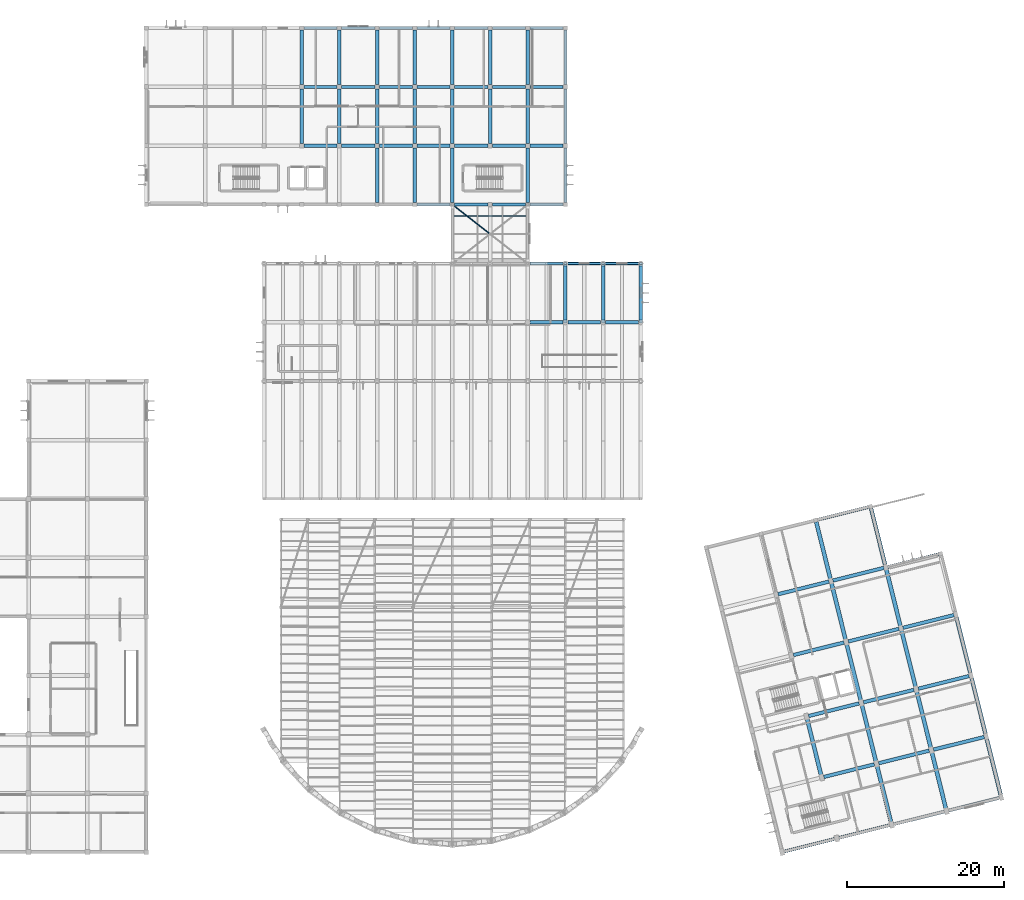
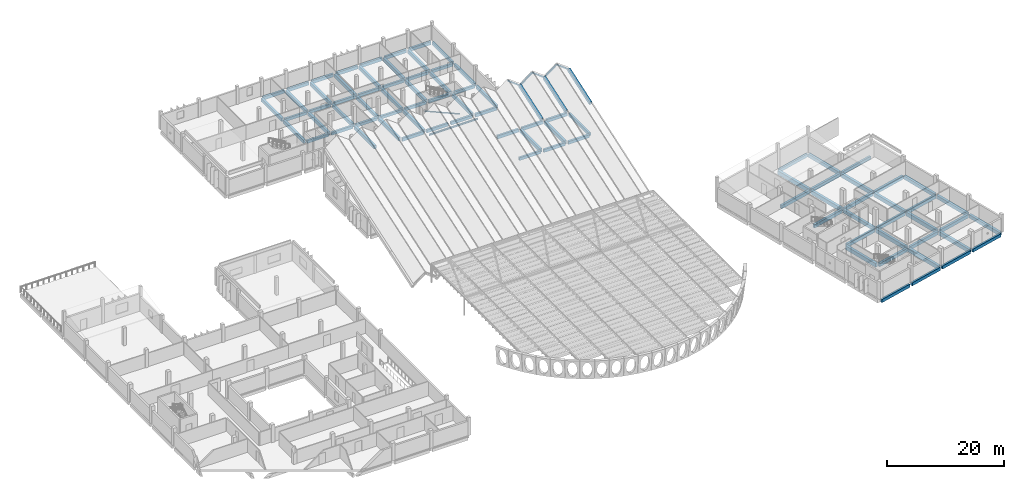
# One storey, part 18 of 47: 90 beams, 6 members.
"""IFC4 building model written with IfcOpenShell, lengths in metres."""

from ifc_helpers import new_model, si_unit, direction, frame, origin, origin_2d, place, context, subcontext, project, spatial, rectangle, hollow_rectangle, hollow_circle, i_section, extrude, material, material_profile, profile_set, type_object, element, save


model = new_model("IFC4")

# Units and contexts
model_context = context("Model", 3, precision=1e-05, world=origin(), true_north=direction((0.0, 1.0)))
body_context = subcontext(model_context, "Body", "Model", "MODEL_VIEW")
ifc_project = project(units=[si_unit("LENGTHUNIT", "METRE"), si_unit("AREAUNIT", "SQUARE_METRE"), si_unit("VOLUMEUNIT", "CUBIC_METRE"), si_unit("PLANEANGLEUNIT", "RADIAN"), si_unit("MASSUNIT", "GRAM", prefix="KILO")], contexts=[model_context])

# Site, building, storey
site_placement = place(None, origin())
site = spatial("IfcSite", under=ifc_project, at=site_placement, CompositionType="ELEMENT")
building_placement = place(site_placement, origin())
building = spatial("IfcBuilding", under=site, at=building_placement, Name="Mawjan Specialist Oncology Clinic", CompositionType="ELEMENT")
storey_placement = place(building_placement, frame((0.0, 0.0, 9.5)))
storey = spatial("IfcBuildingStorey", under=building, at=storey_placement, Name="L02", CompositionType="ELEMENT", Elevation=9.5)

# Beams
ifc_material_1 = material(Name="Concrete C40/50", Category="concrete")
ifc_material_profile_1 = material_profile(ifc_material_1, rectangle(XDim=0.39990234375, YDim=0.60009765625, at=origin_2d()), Name="RC BM 400x600", Category="concrete")
ifc_profile_set_1 = profile_set([ifc_material_profile_1], Name="Concrete C40/50")
beam_type_1 = type_object("IfcBeamType", Name="BM-400x600", PredefinedType="BEAM", material=ifc_profile_set_1)
beam_1_placement = place(storey_placement, frame((93.909912109375, 68.300048828125, -0.60009765625), z_axis=(1.0, 0.0, 0.0), x_axis=(0.0, 1.0, 0.0)))
element("IfcBeam", 1, at=beam_1_placement, inside=storey, type_object=beam_type_1, Name="L02 Collector Beam BM-L02-0694", PredefinedType="BEAM", context=body_context, shape_type="SweptSolid", body=[
    extrude(rectangle(XDim=0.39990234375, YDim=0.60009765625, at=origin_2d()), origin(), (0.0, 0.0, 1.0), 4.18017578125),
])
for number, where, z_axis, x_axis, name in (
    (2, (98.7099609375, 68.300048828125, -0.60009765625), (1.0, 0.0, 0.0), (0.0, 1.0, 0.0), "L02 Collector Beam BM-L02-0695"),
    (3, (103.510009765625, 68.300048828125, -0.60009765625), (1.0, 0.0, 0.0), (0.0, 1.0, 0.0), "L02 Collector Beam BM-L02-0696"),
):
    element("IfcBeam", number, at=place(storey_placement, frame(where, z_axis=z_axis, x_axis=x_axis)), inside=storey, type_object=beam_type_1, Name=name, PredefinedType="BEAM", context=body_context, shape_type="SweptSolid", body=[
        extrude(rectangle(XDim=0.39990234375, YDim=0.60009765625, at=origin_2d()), origin(), (0.0, 0.0, 1.0), 4.179931640625),
    ])
for number, where, z_axis, x_axis, name in (
    (4, (84.284912109375, 83.300048828125, -0.60009765625), (1.0, 0.0, 0.0), (0.0, 1.0, 0.0), "L02 Collector Beam BM-L02-0716"),
    (5, (89.0849609375, 83.300048828125, -0.60009765625), (1.0, 0.0, 0.0), (0.0, 1.0, 0.0), "L02 Collector Beam BM-L02-0717"),
    (6, (65.0849609375, 90.800048828125, -0.60009765625), (1.0, 0.0, 0.0), (0.0, 1.0, 0.0), "L02 Collector Beam BM-L02-0722"),
    (7, (69.885009765625, 90.800048828125, -0.60009765625), (1.0, 0.0, 0.0), (0.0, 1.0, 0.0), "L02 Collector Beam BM-L02-0723"),
    (8, (74.68505859375, 90.800048828125, -0.60009765625), (1.0, 0.0, 0.0), (0.0, 1.0, 0.0), "L02 Collector Beam BM-L02-0724"),
    (9, (79.485107421875, 90.800048828125, -0.60009765625), (1.0, 0.0, 0.0), (0.0, 1.0, 0.0), "L02 Collector Beam BM-L02-0725"),
    (10, (84.284912109375, 90.800048828125, -0.60009765625), (1.0, 0.0, 0.0), (0.0, 1.0, 0.0), "L02 Collector Beam BM-L02-0726"),
    (11, (89.0849609375, 90.800048828125, -0.60009765625), (1.0, 0.0, 0.0), (0.0, 1.0, 0.0), "L02 Collector Beam BM-L02-0727"),
    (12, (93.885009765625, 90.800048828125, -0.60009765625), (1.0, 0.0, 0.0), (0.0, 1.0, 0.0), "L02 Collector Beam BM-L02-0728"),
    (13, (65.0849609375, 98.300048828125, -0.60009765625), (1.0, 0.0, 0.0), (0.0, 1.0, 0.0), "L02 Collector Beam BM-L02-0732"),
    (14, (69.885009765625, 98.300048828125, -0.60009765625), (1.0, 0.0, 0.0), (0.0, 1.0, 0.0), "L02 Collector Beam BM-L02-0733"),
    (15, (74.68505859375, 98.300048828125, -0.60009765625), (1.0, 0.0, 0.0), (0.0, 1.0, 0.0), "L02 Collector Beam BM-L02-0734"),
    (16, (79.485107421875, 98.300048828125, -0.60009765625), (1.0, 0.0, 0.0), (0.0, 1.0, 0.0), "L02 Collector Beam BM-L02-0735"),
    (17, (84.284912109375, 98.300048828125, -0.60009765625), (1.0, 0.0, 0.0), (0.0, 1.0, 0.0), "L02 Collector Beam BM-L02-0736"),
    (18, (89.0849609375, 98.300048828125, -0.60009765625), (1.0, 0.0, 0.0), (0.0, 1.0, 0.0), "L02 Collector Beam BM-L02-0737"),
    (19, (93.885009765625, 98.300048828125, -0.60009765625), (1.0, 0.0, 0.0), (0.0, 1.0, 0.0), "L02 Collector Beam BM-L02-0738"),
):
    element("IfcBeam", number, at=place(storey_placement, frame(where, z_axis=z_axis, x_axis=x_axis)), inside=storey, type_object=beam_type_1, Name=name, PredefinedType="BEAM", context=body_context, shape_type="SweptSolid", body=[
        extrude(rectangle(XDim=0.39990234375, YDim=0.60009765625, at=origin_2d()), origin(), (0.0, 0.0, 1.0), 4.22998046875),
    ])
ifc_material_2 = material(Name="Concrete C40/50", Category="concrete")
ifc_material_profile_2 = material_profile(ifc_material_2, rectangle(XDim=0.449951171875, YDim=0.699951171875, at=origin_2d()), Name="RC BM 450x700", Category="concrete")
ifc_profile_set_2 = profile_set([ifc_material_profile_2], Name="Concrete C40/50")
beam_type_2 = type_object("IfcBeamType", Name="BM-450x700", PredefinedType="BEAM", material=ifc_profile_set_2)
for number, where, z_axis, x_axis, name in (
    (20, (64.800048828125, 91.0849609375, -0.64990234375), (0.0, 1.0, 0.0), (-1.0, 0.0, 0.0), "L02 Collector Beam BM-L02-0813"),
    (21, (64.800048828125, 98.5849609375, -0.64990234375), (0.0, 1.0, 0.0), (-1.0, 0.0, 0.0), "L02 Collector Beam BM-L02-0814"),
    (22, (69.60009765625, 91.0849609375, -0.64990234375), (0.0, 1.0, 0.0), (-1.0, 0.0, 0.0), "L02 Collector Beam BM-L02-0817"),
    (23, (69.60009765625, 98.5849609375, -0.64990234375), (0.0, 1.0, 0.0), (-1.0, 0.0, 0.0), "L02 Collector Beam BM-L02-0818"),
    (24, (74.39990234375, 83.5849609375, -0.64990234375), (0.0, 1.0, 0.0), (-1.0, 0.0, 0.0), "L02 Collector Beam BM-L02-0820"),
    (25, (74.39990234375, 91.0849609375, -0.64990234375), (0.0, 1.0, 0.0), (-1.0, 0.0, 0.0), "L02 Collector Beam BM-L02-0821"),
    (26, (74.39990234375, 98.5849609375, -0.64990234375), (0.0, 1.0, 0.0), (-1.0, 0.0, 0.0), "L02 Collector Beam BM-L02-0822"),
    (27, (79.199951171875, 83.5849609375, -0.64990234375), (0.0, 1.0, 0.0), (-1.0, 0.0, 0.0), "L02 Collector Beam BM-L02-0824"),
    (28, (79.199951171875, 91.0849609375, -0.64990234375), (0.0, 1.0, 0.0), (-1.0, 0.0, 0.0), "L02 Collector Beam BM-L02-0825"),
    (29, (79.199951171875, 98.5849609375, -0.64990234375), (0.0, 1.0, 0.0), (-1.0, 0.0, 0.0), "L02 Collector Beam BM-L02-0826"),
    (30, (84.0, 83.5849609375, -0.64990234375), (0.0, 1.0, 0.0), (-1.0, 0.0, 0.0), "L02 Collector Beam BM-L02-0829"),
    (31, (84.0, 91.0849609375, -0.64990234375), (0.0, 1.0, 0.0), (-1.0, 0.0, 0.0), "L02 Collector Beam BM-L02-0830"),
    (32, (84.0, 98.5849609375, -0.64990234375), (0.0, 1.0, 0.0), (-1.0, 0.0, 0.0), "L02 Collector Beam BM-L02-0831"),
    (33, (88.800048828125, 91.0849609375, -0.64990234375), (0.0, 1.0, 0.0), (-1.0, 0.0, 0.0), "L02 Collector Beam BM-L02-0835"),
    (34, (88.800048828125, 98.5849609375, -0.64990234375), (0.0, 1.0, 0.0), (-1.0, 0.0, 0.0), "L02 Collector Beam BM-L02-0836"),
    (35, (93.60009765625, 91.0849609375, -0.64990234375), (0.0, 1.0, 0.0), (-1.0, 0.0, 0.0), "L02 Collector Beam BM-L02-0841"),
    (36, (93.60009765625, 98.5849609375, -0.64990234375), (0.0, 1.0, 0.0), (-1.0, 0.0, 0.0), "L02 Collector Beam BM-L02-0842"),
):
    element("IfcBeam", number, at=place(storey_placement, frame(where, z_axis=z_axis, x_axis=x_axis)), inside=storey, type_object=beam_type_2, Name=name, PredefinedType="BEAM", context=body_context, shape_type="SweptSolid", body=[
        extrude(rectangle(XDim=0.449951171875, YDim=0.699951171875, at=origin_2d()), origin(), (0.0, 0.0, 1.0), 6.929931640625),
    ])
for number, where, z_axis, x_axis, name in (
    (37, (98.39990234375, 68.610107421875, -0.64990234375), (0.0, 1.0, 0.0), (-1.0, 0.0, 0.0), "L02 Collector Beam BM-L02-0843"),
    (38, (103.199951171875, 68.610107421875, -0.64990234375), (0.0, 1.0, 0.0), (-1.0, 0.0, 0.0), "L02 Collector Beam BM-L02-0847"),
):
    element("IfcBeam", number, at=place(storey_placement, frame(where, z_axis=z_axis, x_axis=x_axis)), inside=storey, type_object=beam_type_2, Name=name, PredefinedType="BEAM", context=body_context, shape_type="SweptSolid", body=[
        extrude(rectangle(XDim=0.449951171875, YDim=0.699951171875, at=origin_2d()), origin(), (0.0, 0.0, 1.0), 6.8798828125),
    ])
beam_2_placement = place(storey_placement, frame((131.327392578125, 10.373046875, -0.64990234375), z_axis=(0.970291780541, 0.241937720527, 0.0), x_axis=(-0.241937720527, 0.970291780541, 0.0)))
element("IfcBeam", 39, at=beam_2_placement, inside=storey, type_object=beam_type_2, Name="L02 Collector Beam BM-L02-0855", PredefinedType="BEAM", context=body_context, shape_type="SweptSolid", body=[
    extrude(rectangle(XDim=0.449951171875, YDim=0.699951171875, at=origin_2d()), origin(), (0.0, 0.0, 1.0), 6.6298828125),
])
beam_3_placement = place(storey_placement, frame((138.3134765625, 12.114990234375, -0.64990234375), z_axis=(0.970293935913, 0.241929076241, 0.0), x_axis=(-0.241929076241, 0.970293935913, 0.0)))
element("IfcBeam", 40, at=beam_3_placement, inside=storey, type_object=beam_type_2, Name="L02 Collector Beam BM-L02-0856", PredefinedType="BEAM", context=body_context, shape_type="SweptSolid", body=[
    extrude(rectangle(XDim=0.449951171875, YDim=0.699951171875, at=origin_2d()), origin(), (0.0, 0.0, 1.0), 6.630126953125),
])
beam_4_placement = place(storey_placement, frame((145.299560546875, 13.85693359375, -0.64990234375), z_axis=(0.970299828174, 0.241905443192, 0.0), x_axis=(-0.241905443192, 0.970299828174, 0.0)))
element("IfcBeam", 41, at=beam_4_placement, inside=storey, type_object=beam_type_2, Name="L02 Collector Beam BM-L02-0857", PredefinedType="BEAM", context=body_context, shape_type="SweptSolid", body=[
    extrude(rectangle(XDim=0.449951171875, YDim=0.699951171875, at=origin_2d()), origin(), (0.0, 0.0, 1.0), 6.655029296875),
])
beam_5_placement = place(storey_placement, frame((129.391845703125, 18.135498046875, -0.64990234375), z_axis=(0.970293935913, 0.241929076241, 0.0), x_axis=(-0.241929076241, 0.970293935913, 0.0)))
element("IfcBeam", 42, at=beam_5_placement, inside=storey, type_object=beam_type_2, Name="L02 Collector Beam BM-L02-0859", PredefinedType="BEAM", context=body_context, shape_type="SweptSolid", body=[
    extrude(rectangle(XDim=0.449951171875, YDim=0.699951171875, at=origin_2d()), origin(), (0.0, 0.0, 1.0), 6.630126953125),
])
beam_6_placement = place(storey_placement, frame((136.3779296875, 19.87744140625, -0.64990234375), z_axis=(0.970302579357, 0.241894407734, 0.0), x_axis=(-0.241894407734, 0.970302579357, 0.0)))
element("IfcBeam", 43, at=beam_6_placement, inside=storey, type_object=beam_type_2, Name="L02 Collector Beam BM-L02-0860", PredefinedType="BEAM", context=body_context, shape_type="SweptSolid", body=[
    extrude(rectangle(XDim=0.449951171875, YDim=0.699951171875, at=origin_2d()), origin(), (0.0, 0.0, 1.0), 6.6298828125),
])
beam_7_placement = place(storey_placement, frame((143.3642578125, 21.619140625, -0.64990234375), z_axis=(0.970291216741, 0.24193998164, 0.0), x_axis=(-0.24193998164, 0.970291216741, 0.0)))
element("IfcBeam", 44, at=beam_7_placement, inside=storey, type_object=beam_type_2, Name="L02 Collector Beam BM-L02-0861", PredefinedType="BEAM", context=body_context, shape_type="SweptSolid", body=[
    extrude(rectangle(XDim=0.449951171875, YDim=0.699951171875, at=origin_2d()), origin(), (0.0, 0.0, 1.0), 6.655029296875),
])
beam_8_placement = place(storey_placement, frame((127.45654296875, 25.89794921875, -0.64990234375), z_axis=(0.970302579357, 0.241894407734, 0.0), x_axis=(-0.241894407734, 0.970302579357, 0.0)))
element("IfcBeam", 45, at=beam_8_placement, inside=storey, type_object=beam_type_2, Name="L02 Collector Beam BM-L02-0863", PredefinedType="BEAM", context=body_context, shape_type="SweptSolid", body=[
    extrude(rectangle(XDim=0.449951171875, YDim=0.699951171875, at=origin_2d()), origin(), (0.0, 0.0, 1.0), 6.6298828125),
])
beam_9_placement = place(storey_placement, frame((134.442626953125, 27.6396484375, -0.64990234375), z_axis=(0.970291216741, 0.24193998164, 0.0), x_axis=(-0.24193998164, 0.970291216741, 0.0)))
element("IfcBeam", 46, at=beam_9_placement, inside=storey, type_object=beam_type_2, Name="L02 Collector Beam BM-L02-0864", PredefinedType="BEAM", context=body_context, shape_type="SweptSolid", body=[
    extrude(rectangle(XDim=0.449951171875, YDim=0.699951171875, at=origin_2d()), origin(), (0.0, 0.0, 1.0), 6.655029296875),
])
beam_10_placement = place(storey_placement, frame((141.404541015625, 29.37548828125, -0.64990234375), z_axis=(0.970296517902, 0.24191872054, 0.0), x_axis=(-0.24191872054, 0.970296517902, 0.0)))
element("IfcBeam", 47, at=beam_10_placement, inside=storey, type_object=beam_type_2, Name="L02 Collector Beam BM-L02-0865", PredefinedType="BEAM", context=body_context, shape_type="SweptSolid", body=[
    extrude(rectangle(XDim=0.449951171875, YDim=0.699951171875, at=origin_2d()), origin(), (0.0, 0.0, 1.0), 6.705078125),
])
beam_11_placement = place(storey_placement, frame((125.496826171875, 33.654296875, -0.64990234375), z_axis=(0.970299236251, 0.241907817422, 0.0), x_axis=(-0.241907817422, 0.970299236251, 0.0)))
element("IfcBeam", 48, at=beam_11_placement, inside=storey, type_object=beam_type_2, Name="L02 Collector Beam BM-L02-0867", PredefinedType="BEAM", context=body_context, shape_type="SweptSolid", body=[
    extrude(rectangle(XDim=0.449951171875, YDim=0.699951171875, at=origin_2d()), origin(), (0.0, 0.0, 1.0), 6.68017578125),
])
beam_12_placement = place(storey_placement, frame((132.483154296875, 35.39599609375, -0.64990234375), z_axis=(0.970294386812, 0.241927267834, 0.0), x_axis=(-0.241927267834, 0.970294386812, 0.0)))
element("IfcBeam", 49, at=beam_12_placement, inside=storey, type_object=beam_type_2, Name="L02 Collector Beam BM-L02-0868", PredefinedType="BEAM", context=body_context, shape_type="SweptSolid", body=[
    extrude(rectangle(XDim=0.449951171875, YDim=0.699951171875, at=origin_2d()), origin(), (0.0, 0.0, 1.0), 6.704833984375),
])
ifc_material_3 = material(Name="Concrete C45/55", Category="concrete")
ifc_material_profile_3 = material_profile(ifc_material_3, rectangle(XDim=0.5, YDim=0.800048828125, at=origin_2d()), Name="RC BM 500x800", Category="concrete")
ifc_profile_set_3 = profile_set([ifc_material_profile_3], Name="Concrete C45/55")
beam_type_3 = type_object("IfcBeamType", Name="BM-500x800", PredefinedType="BEAM", material=ifc_profile_set_3)
for number, where, z_axis, x_axis, name in (
    (50, (130.981689453125, 10.580810546875, -0.699951171875), (-0.241909317102, 0.970298862361, 0.0), (-0.970298862361, -0.241909317102, 0.0), "L02 Collector Beam BM-L02-0878"),
    (51, (139.9033203125, 4.560302734375, -0.699951171875), (-0.241940252994, 0.970291149079, 0.0), (-0.970291149079, -0.241940252994, 0.0), "L02 Collector Beam BM-L02-0881"),
):
    element("IfcBeam", number, at=place(storey_placement, frame(where, z_axis=z_axis, x_axis=x_axis)), inside=storey, type_object=beam_type_3, Name=name, PredefinedType="BEAM", context=body_context, shape_type="SweptSolid", body=[
        extrude(rectangle(XDim=0.5, YDim=0.800048828125, at=origin_2d()), origin(), (0.0, 0.0, 1.0), 7.429931640625),
    ])
beam_13_placement = place(storey_placement, frame((137.968017578125, 12.322509765625, -0.699951171875), z_axis=(-0.241932539519, 0.970293072387, 0.0), x_axis=(-0.970293072387, -0.241932539519, 0.0)))
element("IfcBeam", 52, at=beam_13_placement, inside=storey, type_object=beam_type_3, Name="L02 Collector Beam BM-L02-0882", PredefinedType="BEAM", context=body_context, shape_type="SweptSolid", body=[
    extrude(rectangle(XDim=0.5, YDim=0.800048828125, at=origin_2d()), origin(), (0.0, 0.0, 1.0), 7.43017578125),
])
beam_14_placement = place(storey_placement, frame((134.09716796875, 27.847412109375, -0.699951171875), z_axis=(-0.24191911856, 0.970296418666, 0.0), x_axis=(-0.970296418666, -0.24191911856, 0.0)))
element("IfcBeam", 53, at=beam_14_placement, inside=storey, type_object=beam_type_3, Name="L02 Collector Beam BM-L02-0884", PredefinedType="BEAM", context=body_context, shape_type="SweptSolid", body=[
    extrude(rectangle(XDim=0.5, YDim=0.800048828125, at=origin_2d()), origin(), (0.0, 0.0, 1.0), 7.454833984375),
])
beam_15_placement = place(storey_placement, frame((132.16796875, 35.58544921875, -0.699951171875), z_axis=(-0.241930889434, 0.970293483817, 0.0), x_axis=(-0.970293483817, -0.241930889434, 0.0)))
element("IfcBeam", 54, at=beam_15_placement, inside=storey, type_object=beam_type_3, Name="L02 Collector Beam BM-L02-0885", PredefinedType="BEAM", context=body_context, shape_type="SweptSolid", body=[
    extrude(rectangle(XDim=0.5, YDim=0.800048828125, at=origin_2d()), origin(), (0.0, 0.0, 1.0), 7.5048828125),
])
for number, where, z_axis, x_axis, name in (
    (55, (146.889404296875, 6.302001953125, -0.699951171875), (-0.241909317102, 0.970298862361, 0.0), (-0.970298862361, -0.241909317102, 0.0), "L02 Collector Beam BM-L02-0886"),
    (56, (144.9541015625, 14.064453125, -0.699951171875), (-0.241940252994, 0.970291149079, 0.0), (-0.970291149079, -0.241940252994, 0.0), "L02 Collector Beam BM-L02-0887"),
):
    element("IfcBeam", number, at=place(storey_placement, frame(where, z_axis=z_axis, x_axis=x_axis)), inside=storey, type_object=beam_type_3, Name=name, PredefinedType="BEAM", context=body_context, shape_type="SweptSolid", body=[
        extrude(rectangle(XDim=0.5, YDim=0.800048828125, at=origin_2d()), origin(), (0.0, 0.0, 1.0), 7.429931640625),
    ])
beam_16_placement = place(storey_placement, frame((143.018798828125, 21.82666015625, -0.699951171875), z_axis=(-0.241942262878, 0.970290647916, 0.0), x_axis=(-0.970290647916, -0.241942262878, 0.0)))
element("IfcBeam", 57, at=beam_16_placement, inside=storey, type_object=beam_type_3, Name="L02 Collector Beam BM-L02-0888", PredefinedType="BEAM", context=body_context, shape_type="SweptSolid", body=[
    extrude(rectangle(XDim=0.5, YDim=0.800048828125, at=origin_2d()), origin(), (0.0, 0.0, 1.0), 7.455078125),
])
beam_17_placement = place(storey_placement, frame((141.08935546875, 29.56494140625, -0.699951171875), z_axis=(-0.241930889434, 0.970293483817, 0.0), x_axis=(-0.970293483817, -0.241930889434, 0.0)))
element("IfcBeam", 58, at=beam_17_placement, inside=storey, type_object=beam_type_3, Name="L02 Collector Beam BM-L02-0889", PredefinedType="BEAM", context=body_context, shape_type="SweptSolid", body=[
    extrude(rectangle(XDim=0.5, YDim=0.800048828125, at=origin_2d()), origin(), (0.0, 0.0, 1.0), 7.5048828125),
])

# Member
ifc_material_4 = material(Name="Structural steel S355", Category="steel")
ifc_material_profile_4 = material_profile(ifc_material_4, hollow_circle(Radius=0.084228515625, WallThickness=0.008056640625, at=origin_2d()), Name="CHS 168.3x8", Category="steel")
ifc_profile_set_4 = profile_set([ifc_material_profile_4], Name="Structural steel S355")
member_type_1 = type_object("IfcMemberType", Name="BR-168", PredefinedType="BRACE", material=ifc_profile_set_4)
member_1_placement = place(storey_placement, frame((88.72900390625, 79.60546875, 3.679931640625), z_axis=(-0.788020673055, 0.6156487788, 0.0), x_axis=(-0.6156487788, -0.788020673055, 0.0)))
element("IfcMember", 59, at=member_1_placement, inside=storey, type_object=member_type_1, Name="Skybridge Lateral Diagonal Brace L02-2B", PredefinedType="BRACE", context=body_context, shape_type="SweptSolid", body=[
    extrude(hollow_circle(Radius=0.084228515625, WallThickness=0.008056640625, at=origin_2d()), origin(), (0.0, 0.0, 1.0), 6.001220703125),
])

# Beams
ifc_material_5 = material(Name="Structural steel S355", Category="steel")
ifc_material_profile_5 = material_profile(ifc_material_5, i_section(OverallWidth=0.169921875, OverallDepth=0.360107421875, WebThickness=0.008056640625, FlangeThickness=0.0126953125, FilletRadius=0.01806640625, at=origin_2d()), Name="IPE 360", Category="steel")
ifc_profile_set_5 = profile_set([ifc_material_profile_5], Name="Structural steel S355")
beam_type_4 = type_object("IfcBeamType", Name="SB-IPE360", PredefinedType="BEAM", material=ifc_profile_set_5)
beam_18_placement = place(storey_placement, frame((84.0, 81.85009765625, -0.3798828125), z_axis=(1.0, 0.0, 0.0), x_axis=(0.0, 1.0, 0.0)))
element("IfcBeam", 60, at=beam_18_placement, inside=storey, type_object=beam_type_4, Name="Skybridge L02 Transverse Girder N", PredefinedType="BEAM", context=body_context, shape_type="SweptSolid", body=[
    extrude(i_section(OverallWidth=0.169921875, OverallDepth=0.360107421875, WebThickness=0.008056640625, FlangeThickness=0.0126953125, FilletRadius=0.01806640625, at=origin_2d()), origin(), (0.0, 0.0, 1.0), 9.60009765625),
])
ifc_material_6 = material(Name="Concrete C45/55", Category="concrete")
ifc_material_profile_6 = material_profile(ifc_material_6, rectangle(XDim=0.39990234375, YDim=0.64990234375, at=origin_2d()), Name="RC BM 400x650", Category="concrete")
ifc_profile_set_6 = profile_set([ifc_material_profile_6], Name="Concrete C45/55")
beam_type_5 = type_object("IfcBeamType", Name="SP-400x650", PredefinedType="SPANDREL", material=ifc_profile_set_6)
beam_19_placement = place(storey_placement, frame((93.909912109375, 75.800048828125, -0.625), z_axis=(1.0, 0.0, 0.0), x_axis=(0.0, 1.0, 0.0)))
element("IfcBeam", 61, at=beam_19_placement, inside=storey, type_object=beam_type_5, Name="L02 Spandrel Beam BM-L02-0706", PredefinedType="SPANDREL", context=body_context, shape_type="SweptSolid", body=[
    extrude(rectangle(XDim=0.39990234375, YDim=0.64990234375, at=origin_2d()), origin(), (0.0, 0.0, 1.0), 4.18017578125),
])
for number, where, z_axis, x_axis, name in (
    (62, (98.7099609375, 75.800048828125, -0.625), (1.0, 0.0, 0.0), (0.0, 1.0, 0.0), "L02 Spandrel Beam BM-L02-0707"),
    (63, (103.510009765625, 75.800048828125, -0.625), (1.0, 0.0, 0.0), (0.0, 1.0, 0.0), "L02 Spandrel Beam BM-L02-0708"),
):
    element("IfcBeam", number, at=place(storey_placement, frame(where, z_axis=z_axis, x_axis=x_axis)), inside=storey, type_object=beam_type_5, Name=name, PredefinedType="SPANDREL", context=body_context, shape_type="SweptSolid", body=[
        extrude(rectangle(XDim=0.39990234375, YDim=0.64990234375, at=origin_2d()), origin(), (0.0, 0.0, 1.0), 4.179931640625),
    ])
for number, where, z_axis, x_axis, name in (
    (64, (79.485107421875, 83.300048828125, -0.625), (1.0, 0.0, 0.0), (0.0, 1.0, 0.0), "L02 Spandrel Beam BM-L02-0715"),
    (65, (93.885009765625, 83.300048828125, -0.625), (1.0, 0.0, 0.0), (0.0, 1.0, 0.0), "L02 Spandrel Beam BM-L02-0718"),
    (66, (65.0849609375, 105.800048828125, -0.625), (1.0, 0.0, 0.0), (0.0, 1.0, 0.0), "L02 Spandrel Beam BM-L02-0742"),
    (67, (69.885009765625, 105.800048828125, -0.625), (1.0, 0.0, 0.0), (0.0, 1.0, 0.0), "L02 Spandrel Beam BM-L02-0743"),
    (68, (74.68505859375, 105.800048828125, -0.625), (1.0, 0.0, 0.0), (0.0, 1.0, 0.0), "L02 Spandrel Beam BM-L02-0744"),
    (69, (79.485107421875, 105.800048828125, -0.625), (1.0, 0.0, 0.0), (0.0, 1.0, 0.0), "L02 Spandrel Beam BM-L02-0745"),
    (70, (84.284912109375, 105.800048828125, -0.625), (1.0, 0.0, 0.0), (0.0, 1.0, 0.0), "L02 Spandrel Beam BM-L02-0746"),
    (71, (89.0849609375, 105.800048828125, -0.625), (1.0, 0.0, 0.0), (0.0, 1.0, 0.0), "L02 Spandrel Beam BM-L02-0747"),
    (72, (93.885009765625, 105.800048828125, -0.625), (1.0, 0.0, 0.0), (0.0, 1.0, 0.0), "L02 Spandrel Beam BM-L02-0748"),
):
    element("IfcBeam", number, at=place(storey_placement, frame(where, z_axis=z_axis, x_axis=x_axis)), inside=storey, type_object=beam_type_5, Name=name, PredefinedType="SPANDREL", context=body_context, shape_type="SweptSolid", body=[
        extrude(rectangle(XDim=0.39990234375, YDim=0.64990234375, at=origin_2d()), origin(), (0.0, 0.0, 1.0), 4.22998046875),
    ])
for number, where, z_axis, x_axis, name in (
    (73, (93.60009765625, 83.5849609375, -0.625), (0.0, 1.0, 0.0), (-1.0, 0.0, 0.0), "L02 Spandrel Beam BM-L02-0840"),
    (74, (98.39990234375, 83.5849609375, -0.625), (0.0, 1.0, 0.0), (-1.0, 0.0, 0.0), "L02 Spandrel Beam BM-L02-0844"),
    (75, (98.39990234375, 91.0849609375, -0.625), (0.0, 1.0, 0.0), (-1.0, 0.0, 0.0), "L02 Spandrel Beam BM-L02-0845"),
    (76, (98.39990234375, 98.5849609375, -0.625), (0.0, 1.0, 0.0), (-1.0, 0.0, 0.0), "L02 Spandrel Beam BM-L02-0846"),
):
    element("IfcBeam", number, at=place(storey_placement, frame(where, z_axis=z_axis, x_axis=x_axis)), inside=storey, type_object=beam_type_5, Name=name, PredefinedType="SPANDREL", context=body_context, shape_type="SweptSolid", body=[
        extrude(rectangle(XDim=0.39990234375, YDim=0.64990234375, at=origin_2d()), origin(), (0.0, 0.0, 1.0), 6.929931640625),
    ])
beam_20_placement = place(storey_placement, frame((108.0, 68.610107421875, -0.625), z_axis=(0.0, 1.0, 0.0), x_axis=(-1.0, 0.0, 0.0)))
element("IfcBeam", 77, at=beam_20_placement, inside=storey, type_object=beam_type_5, Name="L02 Spandrel Beam BM-L02-0849", PredefinedType="SPANDREL", context=body_context, shape_type="SweptSolid", body=[
    extrude(rectangle(XDim=0.39990234375, YDim=0.64990234375, at=origin_2d()), origin(), (0.0, 0.0, 1.0), 6.8798828125),
])
for number, where, z_axis, x_axis, name in (
    (78, (126.276611328125, 0.868896484375, -0.625), (0.970293935913, 0.241929076241, 0.0), (-0.241929076241, 0.970293935913, 0.0), "L02 Spandrel Beam BM-L02-0850"),
    (79, (133.2626953125, 2.61083984375, -0.625), (0.970293935913, 0.241929076241, 0.0), (-0.241929076241, 0.970293935913, 0.0), "L02 Spandrel Beam BM-L02-0851"),
    (80, (140.248779296875, 4.3525390625, -0.625), (0.970293935913, 0.241929076241, 0.0), (-0.241929076241, 0.970293935913, 0.0), "L02 Spandrel Beam BM-L02-0852"),
):
    element("IfcBeam", number, at=place(storey_placement, frame(where, z_axis=z_axis, x_axis=x_axis)), inside=storey, type_object=beam_type_5, Name=name, PredefinedType="SPANDREL", context=body_context, shape_type="SweptSolid", body=[
        extrude(rectangle(XDim=0.39990234375, YDim=0.64990234375, at=origin_2d()), origin(), (0.0, 0.0, 1.0), 6.630126953125),
    ])
beam_21_placement = place(storey_placement, frame((147.23486328125, 6.094482421875, -0.625), z_axis=(0.970299828174, 0.241905443192, 0.0), x_axis=(-0.241905443192, 0.970299828174, 0.0)))
element("IfcBeam", 81, at=beam_21_placement, inside=storey, type_object=beam_type_5, Name="L02 Spandrel Beam BM-L02-0853", PredefinedType="SPANDREL", context=body_context, shape_type="SweptSolid", body=[
    extrude(rectangle(XDim=0.39990234375, YDim=0.64990234375, at=origin_2d()), origin(), (0.0, 0.0, 1.0), 6.655029296875),
])
beam_22_placement = place(storey_placement, frame((139.44482421875, 37.1318359375, -0.625), z_axis=(0.970295942731, 0.241921027444, 0.0), x_axis=(-0.241921027444, 0.970295942731, 0.0)))
element("IfcBeam", 82, at=beam_22_placement, inside=storey, type_object=beam_type_5, Name="L02 Spandrel Beam BM-L02-0869", PredefinedType="SPANDREL", context=body_context, shape_type="SweptSolid", body=[
    extrude(rectangle(XDim=0.39990234375, YDim=0.64990234375, at=origin_2d()), origin(), (0.0, 0.0, 1.0), 6.730224609375),
])
beam_23_placement = place(storey_placement, frame((130.5234375, 43.15234375, -0.625), z_axis=(0.970293819569, 0.241929542854, 0.0), x_axis=(-0.241929542854, 0.970293819569, 0.0)))
element("IfcBeam", 83, at=beam_23_placement, inside=storey, type_object=beam_type_5, Name="L02 Spandrel Beam BM-L02-0872", PredefinedType="SPANDREL", context=body_context, shape_type="SweptSolid", body=[
    extrude(rectangle(XDim=0.39990234375, YDim=0.64990234375, at=origin_2d()), origin(), (0.0, 0.0, 1.0), 6.72998046875),
])
ifc_material_7 = material(Name="Concrete C45/55", Category="concrete")
ifc_material_profile_7 = material_profile(ifc_material_7, rectangle(XDim=0.5, YDim=0.699951171875, at=origin_2d()), Name="RC BM 500x700", Category="concrete")
ifc_profile_set_7 = profile_set([ifc_material_profile_7], Name="Concrete C45/55")
beam_type_6 = type_object("IfcBeamType", Name="SP-500x700", PredefinedType="SPANDREL", material=ifc_profile_set_7)
beam_24_placement = place(storey_placement, frame((136.032470703125, 20.0849609375, -0.64990234375), z_axis=(-0.241909317102, 0.970298862361, 0.0), x_axis=(-0.970298862361, -0.241909317102, 0.0)))
element("IfcBeam", 84, at=beam_24_placement, inside=storey, type_object=beam_type_6, Name="L02 Spandrel Beam BM-L02-0883", PredefinedType="SPANDREL", context=body_context, shape_type="SweptSolid", body=[
    extrude(rectangle(XDim=0.5, YDim=0.699951171875, at=origin_2d()), origin(), (0.0, 0.0, 1.0), 7.429931640625),
])
beam_25_placement = place(storey_placement, frame((139.16015625, 37.302978515625, -0.64990234375), z_axis=(-0.241932910606, 0.97029297986, 0.0), x_axis=(-0.97029297986, -0.241932910606, 0.0)))
element("IfcBeam", 85, at=beam_25_placement, inside=storey, type_object=beam_type_6, Name="L02 Spandrel Beam BM-L02-0890", PredefinedType="SPANDREL", context=body_context, shape_type="SweptSolid", body=[
    extrude(rectangle(XDim=0.5, YDim=0.699951171875, at=origin_2d()), origin(), (0.0, 0.0, 1.0), 7.530029296875),
])
for number, where, z_axis, x_axis, name in (
    (86, (153.881591796875, 8.01953125, -0.64990234375), (-0.241921192876, 0.970295901485, 0.0), (-0.970295901485, -0.241921192876, 0.0), "L02 Spandrel Beam BM-L02-0891"),
    (87, (151.9462890625, 15.781982421875, -0.64990234375), (-0.241921192876, 0.970295901485, 0.0), (-0.970295901485, -0.241921192876, 0.0), "L02 Spandrel Beam BM-L02-0892"),
):
    element("IfcBeam", number, at=place(storey_placement, frame(where, z_axis=z_axis, x_axis=x_axis)), inside=storey, type_object=beam_type_6, Name=name, PredefinedType="SPANDREL", context=body_context, shape_type="SweptSolid", body=[
        extrude(rectangle(XDim=0.5, YDim=0.699951171875, at=origin_2d()), origin(), (0.0, 0.0, 1.0), 7.47998046875),
    ])
beam_26_placement = place(storey_placement, frame((150.010986328125, 23.54443359375, -0.64990234375), z_axis=(-0.241930889434, 0.970293483817, 0.0), x_axis=(-0.970293483817, -0.241930889434, 0.0)))
element("IfcBeam", 88, at=beam_26_placement, inside=storey, type_object=beam_type_6, Name="L02 Spandrel Beam BM-L02-0893", PredefinedType="SPANDREL", context=body_context, shape_type="SweptSolid", body=[
    extrude(rectangle(XDim=0.5, YDim=0.699951171875, at=origin_2d()), origin(), (0.0, 0.0, 1.0), 7.5048828125),
])

# Members
ifc_material_8 = material(Name="Structural steel S355", Category="steel")
ifc_material_profile_8 = material_profile(ifc_material_8, hollow_rectangle(XDim=0.25, YDim=0.25, WallThickness=0.011962890625, at=origin_2d()), Name="SHS 250x250x12", Category="steel")
ifc_profile_set_8 = profile_set([ifc_material_profile_8], Name="Structural steel S355")
member_type_2 = type_object("IfcMemberType", Name="ST-SHS250", PredefinedType="STRUT", material=ifc_profile_set_8)
member_2_placement = place(storey_placement, frame((98.39990234375, 75.800048828125, 8.5400390625), z_axis=(-0.793619355454, 0.0, 0.608414594375), x_axis=(0.0, -1.0, 0.0)))
element("IfcMember", 89, at=member_2_placement, inside=storey, type_object=member_type_2, Name="Folded-Plate N Gable Strut 8B", PredefinedType="STRUT", context=body_context, shape_type="SweptSolid", body=[
    extrude(hollow_rectangle(XDim=0.25, YDim=0.25, WallThickness=0.011962890625, at=origin_2d()), origin(), (0.0, 0.0, 1.0), 3.02392578125),
])
member_3_placement = place(storey_placement, frame((98.39990234375, 75.800048828125, 8.5400390625), z_axis=(0.793649237907, 0.0, 0.608375613556), x_axis=(0.0, 1.0, 0.0)))
element("IfcMember", 90, at=member_3_placement, inside=storey, type_object=member_type_2, Name="Folded-Plate N Gable Strut 9A", PredefinedType="STRUT", context=body_context, shape_type="SweptSolid", body=[
    extrude(hollow_rectangle(XDim=0.25, YDim=0.25, WallThickness=0.011962890625, at=origin_2d()), origin(), (0.0, 0.0, 1.0), 3.024169921875),
])
member_4_placement = place(storey_placement, frame((103.199951171875, 75.800048828125, 8.5400390625), z_axis=(-0.793619355454, 0.0, 0.608414594375), x_axis=(0.0, -1.0, 0.0)))
element("IfcMember", 91, at=member_4_placement, inside=storey, type_object=member_type_2, Name="Folded-Plate N Gable Strut 9B", PredefinedType="STRUT", context=body_context, shape_type="SweptSolid", body=[
    extrude(hollow_rectangle(XDim=0.25, YDim=0.25, WallThickness=0.011962890625, at=origin_2d()), origin(), (0.0, 0.0, 1.0), 3.02392578125),
])
member_5_placement = place(storey_placement, frame((103.199951171875, 75.800048828125, 8.5400390625), z_axis=(0.793649237907, 0.0, 0.608375613556), x_axis=(0.0, 1.0, 0.0)))
element("IfcMember", 92, at=member_5_placement, inside=storey, type_object=member_type_2, Name="Folded-Plate N Gable Strut 10A", PredefinedType="STRUT", context=body_context, shape_type="SweptSolid", body=[
    extrude(hollow_rectangle(XDim=0.25, YDim=0.25, WallThickness=0.011962890625, at=origin_2d()), origin(), (0.0, 0.0, 1.0), 3.024169921875),
])
member_6_placement = place(storey_placement, frame((108.0, 75.800048828125, 8.5400390625), z_axis=(-0.793619355454, 0.0, 0.608414594375), x_axis=(0.0, -1.0, 0.0)))
element("IfcMember", 93, at=member_6_placement, inside=storey, type_object=member_type_2, Name="Folded-Plate N Gable Strut 10B", PredefinedType="STRUT", context=body_context, shape_type="SweptSolid", body=[
    extrude(hollow_rectangle(XDim=0.25, YDim=0.25, WallThickness=0.011962890625, at=origin_2d()), origin(), (0.0, 0.0, 1.0), 3.02392578125),
])

# Beams
ifc_material_9 = material(Name="Concrete C45/55", Category="concrete")
ifc_material_profile_9 = material_profile(ifc_material_9, rectangle(XDim=0.449951171875, YDim=0.64990234375, at=origin_2d()), Name="RC VALLEY 450x650", Category="concrete")
ifc_profile_set_9 = profile_set([ifc_material_profile_9], Name="Concrete C45/55")
beam_type_7 = type_object("IfcBeamType", Name="VB-FP", PredefinedType="BEAM", material=ifc_profile_set_9)
for number, where, z_axis, x_axis, name in (
    (94, (98.39990234375, 68.300048828125, 5.989990234375), (0.0, 0.946770866248, 0.321908258397), (-1.0, 0.0, 0.0), "Folded-Plate Roof Valley Chord VB-09-4"),
    (95, (103.199951171875, 68.300048828125, 5.989990234375), (0.0, 0.946770866248, 0.321908258397), (-1.0, 0.0, 0.0), "Folded-Plate Roof Valley Chord VB-10-4"),
    (96, (108.0, 68.300048828125, 5.989990234375), (0.0, 0.946770866248, 0.321908258397), (-1.0, 0.0, 0.0), "Folded-Plate Roof Valley Chord VB-11-4"),
):
    element("IfcBeam", number, at=place(storey_placement, frame(where, z_axis=z_axis, x_axis=x_axis)), inside=storey, type_object=beam_type_7, Name=name, PredefinedType="BEAM", context=body_context, shape_type="SweptSolid", body=[
        extrude(rectangle(XDim=0.449951171875, YDim=0.64990234375, at=origin_2d()), origin(), (0.0, 0.0, 1.0), 7.921630859375),
    ])

save(model, "model.ifc")
